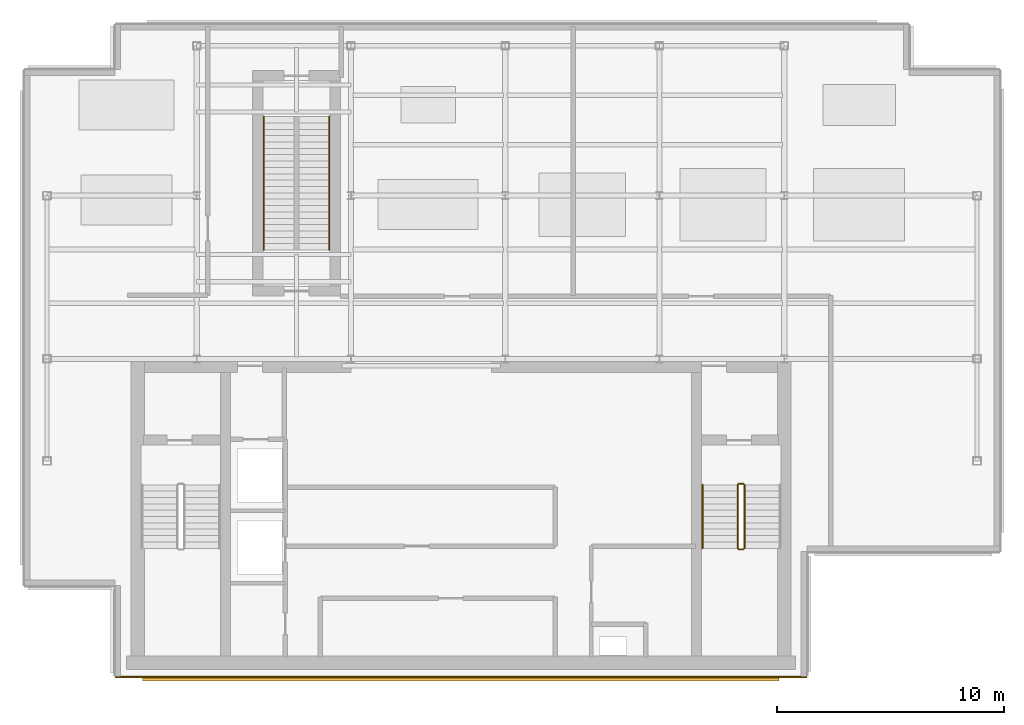
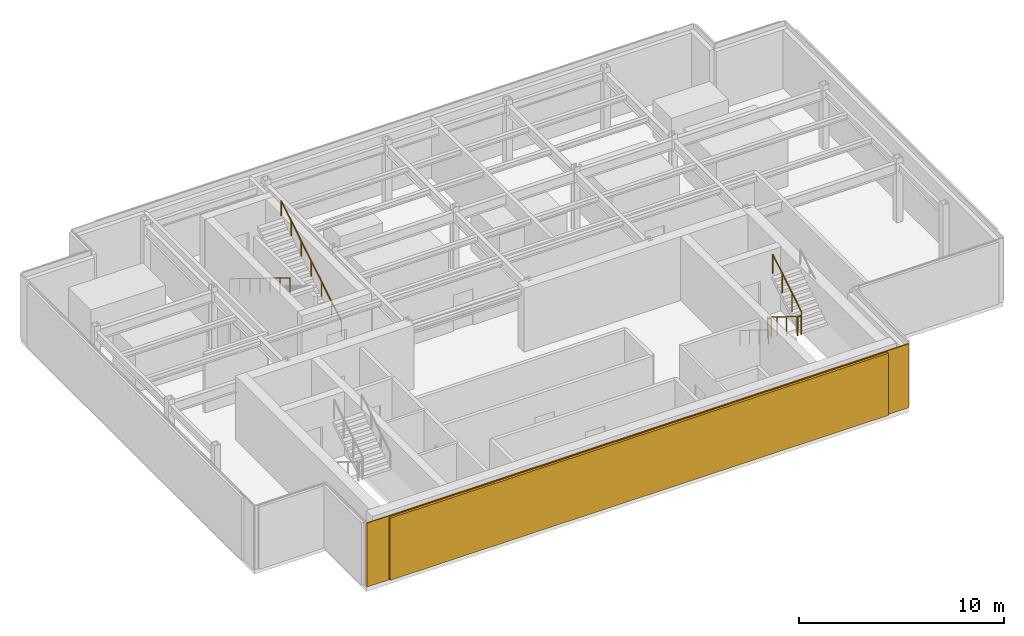
# One storey, part 5 of 7: 7 railings, 1 covering, 1 shading device.
"""IFC4 building model written with IfcOpenShell, lengths in metres."""

from ifc_helpers import new_model, si_unit, derived_unit, direction, frame, origin, origin_2d, place, context, subcontext, project, spatial, rectangle, circle, extrude, source, transform, mapped, material, layer, layer_set, type_object, element, save


model = new_model("IFC4")

# Units and contexts
model_context = context("Model", 3, precision=1e-05, world=origin(), true_north=direction((0.0, 1.0)))
body_context = subcontext(model_context, "Body", "Model", "MODEL_VIEW")
ifc_project = project(units=[si_unit("LENGTHUNIT", "METRE"), si_unit("AREAUNIT", "SQUARE_METRE"), si_unit("VOLUMEUNIT", "CUBIC_METRE"), si_unit("PLANEANGLEUNIT", "RADIAN"), si_unit("MASSUNIT", "GRAM", prefix="KILO"), derived_unit("THERMALTRANSMITTANCEUNIT", [(si_unit("POWERUNIT", "WATT"), 1), (si_unit("LENGTHUNIT", "METRE"), -2), (si_unit("THERMODYNAMICTEMPERATUREUNIT", "KELVIN"), -1)])], contexts=[model_context])

# Site, building, storey
site_placement = place(None, origin())
site = spatial("IfcSite", under=ifc_project, at=site_placement, CompositionType="ELEMENT")
building_placement = place(site_placement, origin())
building = spatial("IfcBuilding", under=site, at=building_placement, Name="Skarnbrae Concourse Arena and Tower", CompositionType="ELEMENT")
storey_placement = place(building_placement, frame((0.0, 0.0, 296.050048828125)))
storey = spatial("IfcBuildingStorey", under=building, at=storey_placement, Name="L77", CompositionType="ELEMENT", Elevation=296.050048828125)

# Railings
ifc_material_1 = material(Name="Steel CSA G40.21 350W", Category="steel")
railing_type_1 = type_object("IfcRailingType", Name="RAIL-HANDRAIL-900", PredefinedType="HANDRAIL", material=ifc_material_1)
railing_1_placement = place(storey_placement, frame((29.89990234375, 8.449951171875, 0.172607421875)))
element("IfcRailing", 1, at=railing_1_placement, inside=storey, type_object=railing_type_1, Name="L77 ST-2 stair handrail 1", PredefinedType="HANDRAIL", context=body_context, shape_type="SweptSolid", body=[
    extrude(circle(Radius=0.02392578125, at=origin_2d()), frame((0.0, 0.0, 0.8759765625), z_axis=(0.0, -0.851089632645, 0.525020415988), x_axis=(1.0, 0.0, 0.0)), (0.0, 0.0, 1.0), 3.2900390625),
    extrude(circle(Radius=0.02099609375, at=origin_2d()), origin(), (0.0, 0.0, 1.0), 0.851806640625),
    extrude(circle(Radius=0.02099609375, at=origin_2d()), frame((0.0, -0.933349609375, 0.57568359375)), (0.0, 0.0, 1.0), 0.851806640625),
    extrude(circle(Radius=0.02099609375, at=origin_2d()), frame((0.0, -1.86669921875, 1.151611328125)), (0.0, 0.0, 1.0), 0.851806640625),
    extrude(circle(Radius=0.02099609375, at=origin_2d()), frame((0.0, -2.800048828125, 1.727294921875)), (0.0, 0.0, 1.0), 0.851806640625),
])
railing_2_placement = place(storey_placement, frame((13.449951171875, 18.800048828125, 0.172607421875)))
element("IfcRailing", 2, at=railing_2_placement, inside=storey, type_object=railing_type_1, Name="L77 ST-CRWN stair handrail 1", PredefinedType="HANDRAIL", context=body_context, shape_type="SweptSolid", body=[
    extrude(circle(Radius=0.02392578125, at=origin_2d()), frame((0.0, 0.0, 0.8759765625), z_axis=(0.0, 0.851072970441, 0.525047425462), x_axis=(-1.0, 0.0, 0.0)), (0.0, 0.0, 1.0), 6.90869140625),
    extrude(circle(Radius=0.02099609375, at=origin_2d()), origin(), (0.0, 0.0, 1.0), 0.851806640625),
    extrude(circle(Radius=0.02099609375, at=origin_2d()), frame((0.0, 0.97998046875, 0.6044921875)), (0.0, 0.0, 1.0), 0.851806640625),
    extrude(circle(Radius=0.02099609375, at=origin_2d()), frame((0.0, 1.9599609375, 1.209228515625)), (0.0, 0.0, 1.0), 0.851806640625),
    extrude(circle(Radius=0.02099609375, at=origin_2d()), frame((0.0, 2.93994140625, 1.813720703125)), (0.0, 0.0, 1.0), 0.851806640625),
    extrude(circle(Radius=0.02099609375, at=origin_2d()), frame((0.0, 3.919921875, 2.418212890625)), (0.0, 0.0, 1.0), 0.851806640625),
    extrude(circle(Radius=0.02099609375, at=origin_2d()), frame((0.0, 4.89990234375, 3.02294921875)), (0.0, 0.0, 1.0), 0.851806640625),
    extrude(circle(Radius=0.02099609375, at=origin_2d()), frame((0.0, 5.8798828125, 3.62744140625)), (0.0, 0.0, 1.0), 0.851806640625),
])
railing_3_placement = place(storey_placement, frame((10.550048828125, 24.679931640625, 0.172607421875)))
element("IfcRailing", 3, at=railing_3_placement, inside=storey, type_object=railing_type_1, Name="L77 ST-CRWN stair handrail 1", PredefinedType="HANDRAIL", context=body_context, shape_type="SweptSolid", body=[
    extrude(circle(Radius=0.02392578125, at=origin_2d()), frame((0.0, 0.0, 0.8759765625), z_axis=(0.0, -0.851072970441, 0.525047425462), x_axis=(1.0, 0.0, 0.0)), (0.0, 0.0, 1.0), 6.90869140625),
    extrude(circle(Radius=0.02099609375, at=origin_2d()), origin(), (0.0, 0.0, 1.0), 0.851806640625),
    extrude(circle(Radius=0.02099609375, at=origin_2d()), frame((0.0, -0.97998046875, 0.6044921875)), (0.0, 0.0, 1.0), 0.851806640625),
    extrude(circle(Radius=0.02099609375, at=origin_2d()), frame((0.0, -1.9599609375, 1.209228515625)), (0.0, 0.0, 1.0), 0.851806640625),
    extrude(circle(Radius=0.02099609375, at=origin_2d()), frame((0.0, -2.93994140625, 1.813720703125)), (0.0, 0.0, 1.0), 0.851806640625),
    extrude(circle(Radius=0.02099609375, at=origin_2d()), frame((0.0, -3.919921875, 2.418212890625)), (0.0, 0.0, 1.0), 0.851806640625),
    extrude(circle(Radius=0.02099609375, at=origin_2d()), frame((0.0, -4.89990234375, 3.02294921875)), (0.0, 0.0, 1.0), 0.851806640625),
    extrude(circle(Radius=0.02099609375, at=origin_2d()), frame((0.0, -5.8798828125, 3.62744140625)), (0.0, 0.0, 1.0), 0.851806640625),
])
railing_type_2 = type_object("IfcRailingType", Name="RAIL-STAIR-GUARD-1150", PredefinedType="GUARDRAIL", material=ifc_material_1)
railing_4_placement = place(storey_placement, frame((31.449951171875, 8.449951171875, 0.172607421875)))
element("IfcRailing", 4, at=railing_4_placement, inside=storey, type_object=railing_type_2, Name="L77 ST-2 stair guard 1", PredefinedType="GUARDRAIL", context=body_context, shape_type="SweptSolid", body=[
    extrude(circle(Radius=0.02392578125, at=origin_2d()), frame((0.0, 0.0, 1.1259765625), z_axis=(0.0, -0.851089632645, 0.525020415988), x_axis=(1.0, 0.0, 0.0)), (0.0, 0.0, 1.0), 3.2900390625),
    extrude(circle(Radius=0.02099609375, at=origin_2d()), origin(), (0.0, 0.0, 1.0), 1.101806640625),
    extrude(circle(Radius=0.02099609375, at=origin_2d()), frame((0.0, -0.933349609375, 0.57568359375)), (0.0, 0.0, 1.0), 1.101806640625),
    extrude(circle(Radius=0.02099609375, at=origin_2d()), frame((0.0, -1.86669921875, 1.151611328125)), (0.0, 0.0, 1.0), 1.101806640625),
    extrude(circle(Radius=0.02099609375, at=origin_2d()), frame((0.0, -2.800048828125, 1.727294921875)), (0.0, 0.0, 1.0), 1.101806640625),
])
railing_5_placement = place(storey_placement, frame((31.5, 5.60009765625, 1.89990234375)))
element("IfcRailing", 5, at=railing_5_placement, inside=storey, type_object=railing_type_2, Name="L77 ST-2 stair guard 2", PredefinedType="GUARDRAIL", context=body_context, shape_type="SweptSolid", body=[
    extrude(circle(Radius=0.02392578125, at=origin_2d()), frame((0.0, 0.0, 1.1259765625), z_axis=(1.0, 0.0, 0.0), x_axis=(0.0, 1.0, 0.0)), (0.0, 0.0, 1.0), 0.199951171875),
    extrude(circle(Radius=0.02099609375, at=origin_2d()), origin(), (0.0, 0.0, 1.0), 1.101806640625),
    extrude(circle(Radius=0.02099609375, at=origin_2d()), frame((0.199951171875, 0.0, 0.0)), (0.0, 0.0, 1.0), 1.101806640625),
])
railing_6_placement = place(storey_placement, frame((31.75, 5.64990234375, 2.07275390625)))
element("IfcRailing", 6, at=railing_6_placement, inside=storey, type_object=railing_type_2, Name="L77 ST-2 stair guard 3", PredefinedType="GUARDRAIL", context=body_context, shape_type="SweptSolid", body=[
    extrude(circle(Radius=0.02392578125, at=origin_2d()), frame((0.0, 0.0, 1.1259765625), z_axis=(0.0, 0.851089632645, 0.525020415988), x_axis=(-1.0, 0.0, 0.0)), (0.0, 0.0, 1.0), 3.2900390625),
    extrude(circle(Radius=0.02099609375, at=origin_2d()), origin(), (0.0, 0.0, 1.0), 1.101806640625),
    extrude(circle(Radius=0.02099609375, at=origin_2d()), frame((0.0, 0.933349609375, 0.57568359375)), (0.0, 0.0, 1.0), 1.101806640625),
    extrude(circle(Radius=0.02099609375, at=origin_2d()), frame((0.0, 1.86669921875, 1.151611328125)), (0.0, 0.0, 1.0), 1.101806640625),
    extrude(circle(Radius=0.02099609375, at=origin_2d()), frame((0.0, 2.800048828125, 1.727294921875)), (0.0, 0.0, 1.0), 1.101806640625),
])
railing_7_placement = place(storey_placement, frame((31.5, 8.5, 0.0)))
element("IfcRailing", 7, at=railing_7_placement, inside=storey, type_object=railing_type_2, Name="L77 ST-2 stair guard 4", PredefinedType="GUARDRAIL", context=body_context, shape_type="SweptSolid", body=[
    extrude(circle(Radius=0.02392578125, at=origin_2d()), frame((0.0, 0.0, 1.1259765625), z_axis=(1.0, 0.0, 0.0), x_axis=(0.0, 1.0, 0.0)), (0.0, 0.0, 1.0), 0.199951171875),
    extrude(circle(Radius=0.02099609375, at=origin_2d()), origin(), (0.0, 0.0, 1.0), 1.101806640625),
    extrude(circle(Radius=0.02099609375, at=origin_2d()), frame((0.199951171875, 0.0, 0.0)), (0.0, 0.0, 1.0), 1.101806640625),
])

# Covering
ifc_material_2 = material(Name="Bronze anodised aluminium 6063-T6", Category="aluminium")
ifc_layer = layer(ifc_material_2, 0.06005859375)
ifc_layer_set = layer_set([ifc_layer], Name="Bronze anodised aluminium 6063-T6")
covering_type = type_object("IfcCoveringType", Name="COV-CLAD-BRONZE-60", PredefinedType="CLADDING", material=ifc_layer_set)
shared_shape_1 = source(origin(), body_context, "Body", "SweptSolid", [
    extrude(rectangle(XDim=30.5, YDim=0.06005859375, at=origin_2d()), origin(), (0.0, 0.0, 1.0), 3.800048828125),
])
covering_placement = place(storey_placement, frame((19.25, -0.030029296875, 0.0), z_axis=(0.0, 0.0, 1.0), x_axis=(1.0, 0.0, 0.0)))
element("IfcCovering", 8, at=covering_placement, inside=storey, type_object=covering_type, Name="L77 Bronze crown rainscreen cladding 01", PredefinedType="CLADDING", context=body_context, shape_type="MappedRepresentation", body=[
    mapped(shared_shape_1, transform((0.0, 0.0, 0.0))),
])

# Shading device
shading_device_type = type_object("IfcShadingDeviceType", Name="SHD-BRONZE-LOUVRE-150", PredefinedType="USERDEFINED", material=ifc_material_2)
shared_shape_2 = source(origin(), body_context, "Body", "SweptSolid", [
    extrude(rectangle(XDim=28.06005859375, YDim=0.139892578125, at=origin_2d()), origin(), (0.0, 0.0, 1.0), 3.699951171875),
])
shading_device_placement = place(storey_placement, frame((19.25, -0.1201171875, 0.0498046875), z_axis=(0.0, 0.0, 1.0), x_axis=(1.0, 0.0, 0.0)))
element("IfcShadingDevice", 9, at=shading_device_placement, inside=storey, type_object=shading_device_type, Name="L77 Crown bronze architectural louvre screen 01", ObjectType="LOUVRE", PredefinedType="USERDEFINED", context=body_context, shape_type="MappedRepresentation", body=[
    mapped(shared_shape_2, transform((0.0, 0.0, 0.0))),
])

save(model, "model.ifc")
